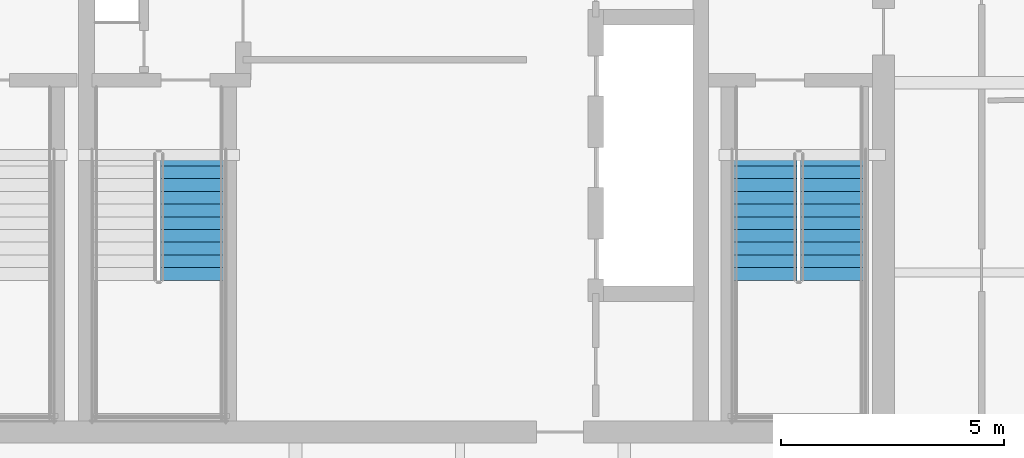
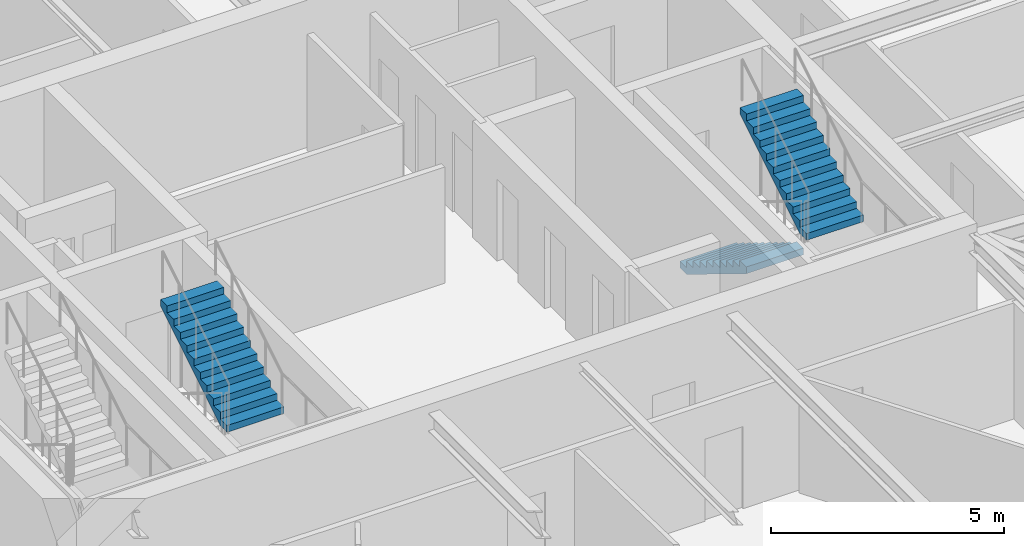
# One storey, part 18 of 21: 3 stair flights, 2 elements without a shape of their own.
"""IFC4 building model written with IfcOpenShell, lengths in metres."""

from ifc_helpers import new_model, si_unit, direction, frame, origin, place, context, subcontext, project, spatial, polyline, outline, extrude, material, type_object, element, aggregate, save


model = new_model("IFC4")

# Units and contexts
model_context = context("Model", 3, precision=1e-05, world=origin(), true_north=direction((0.0, 1.0)))
body_context = subcontext(model_context, "Body", "Model", "MODEL_VIEW")
ifc_project = project(units=[si_unit("LENGTHUNIT", "METRE"), si_unit("AREAUNIT", "SQUARE_METRE"), si_unit("VOLUMEUNIT", "CUBIC_METRE"), si_unit("PLANEANGLEUNIT", "RADIAN"), si_unit("MASSUNIT", "GRAM", prefix="KILO")], contexts=[model_context])

# Site, building, storey
site_placement = place(None, origin())
site = spatial("IfcSite", under=ifc_project, at=site_placement, CompositionType="ELEMENT")
building_placement = place(site_placement, origin())
building = spatial("IfcBuilding", under=site, at=building_placement, Name="Bramvorn Convention Spire", CompositionType="ELEMENT")
storey_placement = place(building_placement, frame((0.0, 0.0, 257.449951171875)))
storey = spatial("IfcBuildingStorey", under=building, at=storey_placement, Name="L65", CompositionType="ELEMENT", Elevation=257.449951171875)

# Stair, stair flights
ifc_material_1 = material(Name="Concrete C40/50 Precast Stair", Category="concrete")
stair_type = type_object("IfcStairType", Name="ST-TOWER-1550", PredefinedType="HALF_TURN_STAIR", material=ifc_material_1)
stair_1_placement = place(storey_placement, origin())
stair_1 = element("IfcStair", 1, at=stair_1_placement, inside=storey, type_object=stair_type, Name="L65 Protected Exit Stair ST2", PredefinedType="HALF_TURN_STAIR")
ifc_material_2 = material(Name="Concrete C40/50 Precast Stair Flight", Category="concrete")
stair_flight_type = type_object("IfcStairFlightType", Name="STF-TOWER-1550", PredefinedType="STRAIGHT", material=ifc_material_2)
stair_flight_1_placement = place(storey_placement, frame((46.35498046875, 25.050048828125, 0.0), z_axis=(0.0, 0.0, 1.0), x_axis=(0.0, -1.0, 0.0)))
stair_flight_1 = element("IfcStairFlight", 2, at=stair_flight_1_placement, type_object=stair_flight_type, Name="ST2 flight 1", NumberOfRisers=11, NumberOfTreads=10, PredefinedType="STRAIGHT", RiserHeight=0.175, TreadLength=0.285, context=body_context, shape_type="SweptSolid", body=[
    extrude(outline(polyline([(0.0, 0.0), (0.0, 0.175048828125), (0.284912109375, 0.175048828125), (0.284912109375, 0.35009765625), (0.570068359375, 0.35009765625), (0.570068359375, 0.52490234375), (0.85498046875, 0.52490234375), (0.85498046875, 0.699951171875), (1.139892578125, 0.699951171875), (1.139892578125, 0.875), (1.425048828125, 0.875), (1.425048828125, 1.050048828125), (1.7099609375, 1.050048828125), (1.7099609375, 1.22509765625), (1.9951171875, 1.22509765625), (1.9951171875, 1.39990234375), (2.280029296875, 1.39990234375), (2.280029296875, 1.574951171875), (2.56494140625, 1.574951171875), (2.56494140625, 1.75), (2.85009765625, 1.75), (2.85009765625, 1.925048828125), (2.85009765625, 1.573974609375), (0.286376953125, 0.0), (0.0, 0.0)])), frame((0.0, 0.705078125, 0.0), z_axis=(0.0, -1.0, 0.0), x_axis=(1.0, 0.0, 0.0)), (0.0, 0.0, 1.0), 1.409912109375),
])
stair_flight_2_placement = place(storey_placement, frame((47.844970703125, 22.199951171875, 1.925048828125), z_axis=(0.0, 0.0, 1.0), x_axis=(0.0, 1.0, 0.0)))
stair_flight_2 = element("IfcStairFlight", 3, at=stair_flight_2_placement, type_object=stair_flight_type, Name="ST2 flight 2", NumberOfRisers=11, NumberOfTreads=10, PredefinedType="STRAIGHT", RiserHeight=0.175, TreadLength=0.285, context=body_context, shape_type="SweptSolid", body=[
    extrude(outline(polyline([(0.0, 0.0), (0.0, 0.175048828125), (0.284912109375, 0.175048828125), (0.284912109375, 0.35009765625), (0.570068359375, 0.35009765625), (0.570068359375, 0.52490234375), (0.85498046875, 0.52490234375), (0.85498046875, 0.699951171875), (1.139892578125, 0.699951171875), (1.139892578125, 0.875), (1.425048828125, 0.875), (1.425048828125, 1.050048828125), (1.7099609375, 1.050048828125), (1.7099609375, 1.22509765625), (1.9951171875, 1.22509765625), (1.9951171875, 1.39990234375), (2.280029296875, 1.39990234375), (2.280029296875, 1.574951171875), (2.56494140625, 1.574951171875), (2.56494140625, 1.75), (2.85009765625, 1.75), (2.85009765625, 1.925048828125), (2.85009765625, 1.573974609375), (0.286376953125, 0.0), (0.0, 0.0)])), frame((0.0, 0.705078125, 0.0), z_axis=(0.0, -1.0, 0.0), x_axis=(1.0, 0.0, 0.0)), (0.0, 0.0, 1.0), 1.409912109375),
])
aggregate(stair_1, [stair_flight_1, stair_flight_2])

# Stair, stair flight
stair_2_placement = place(storey_placement, origin())
stair_2 = element("IfcStair", 4, at=stair_2_placement, inside=storey, type_object=stair_type, Name="L65 Protected Exit Stair ST3", PredefinedType="HALF_TURN_STAIR")
stair_flight_3_placement = place(storey_placement, frame((33.4951171875, 22.199951171875, 1.925048828125), z_axis=(0.0, 0.0, 1.0), x_axis=(0.0, 1.0, 0.0)))
stair_flight_3 = element("IfcStairFlight", 5, at=stair_flight_3_placement, type_object=stair_flight_type, Name="ST3 flight 2", NumberOfRisers=11, NumberOfTreads=10, PredefinedType="STRAIGHT", RiserHeight=0.175, TreadLength=0.285, context=body_context, shape_type="SweptSolid", body=[
    extrude(outline(polyline([(0.0, 0.0), (0.0, 0.175048828125), (0.284912109375, 0.175048828125), (0.284912109375, 0.35009765625), (0.570068359375, 0.35009765625), (0.570068359375, 0.52490234375), (0.85498046875, 0.52490234375), (0.85498046875, 0.699951171875), (1.139892578125, 0.699951171875), (1.139892578125, 0.875), (1.425048828125, 0.875), (1.425048828125, 1.050048828125), (1.7099609375, 1.050048828125), (1.7099609375, 1.22509765625), (1.9951171875, 1.22509765625), (1.9951171875, 1.39990234375), (2.280029296875, 1.39990234375), (2.280029296875, 1.574951171875), (2.56494140625, 1.574951171875), (2.56494140625, 1.75), (2.85009765625, 1.75), (2.85009765625, 1.925048828125), (2.85009765625, 1.573974609375), (0.286376953125, 0.0), (0.0, 0.0)])), frame((0.0, 0.705078125, 0.0), z_axis=(0.0, -1.0, 0.0), x_axis=(1.0, 0.0, 0.0)), (0.0, 0.0, 1.0), 1.409912109375),
])
aggregate(stair_2, [stair_flight_3])

save(model, "model.ifc")
